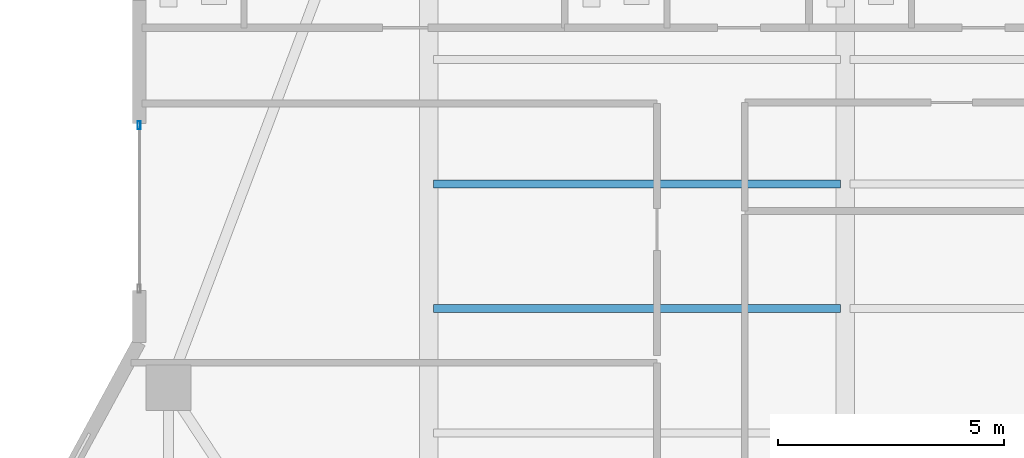
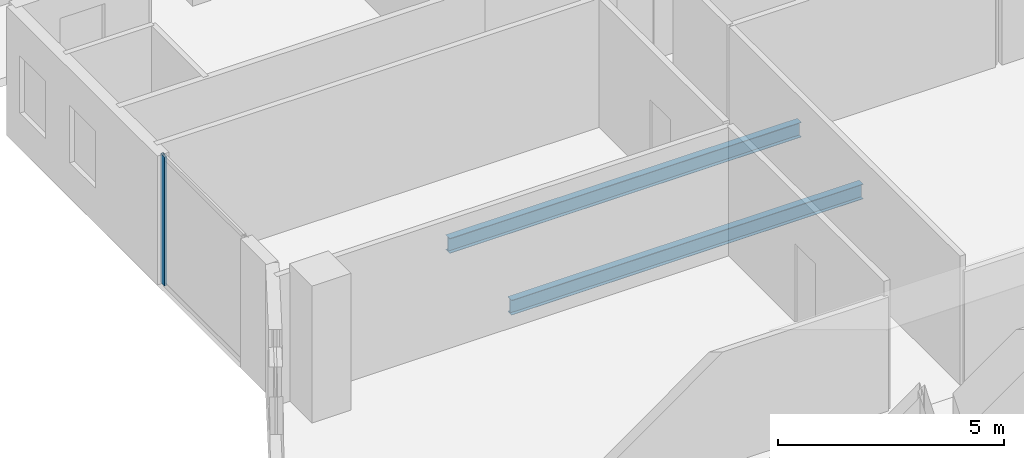
# One storey, part 8 of 24: 2 beams, 1 member, 1 element without a shape of its own.
"""IFC4 building model written with IfcOpenShell, lengths in metres."""

from ifc_helpers import new_model, si_unit, direction, frame, origin, origin_2d, place, context, subcontext, project, spatial, hollow_rectangle, i_section, extrude, material, layer, layer_set, material_profile, profile_set, type_object, element, aggregate, save


model = new_model("IFC4")

# Units and contexts
model_context = context("Model", 3, precision=1e-05, world=origin(), true_north=direction((0.0, 1.0)))
body_context = subcontext(model_context, "Body", "Model", "MODEL_VIEW")
ifc_project = project(units=[si_unit("LENGTHUNIT", "METRE"), si_unit("AREAUNIT", "SQUARE_METRE"), si_unit("VOLUMEUNIT", "CUBIC_METRE"), si_unit("PLANEANGLEUNIT", "RADIAN"), si_unit("MASSUNIT", "GRAM", prefix="KILO")], contexts=[model_context])

# Site, building, storey
site_placement = place(None, origin())
site = spatial("IfcSite", under=ifc_project, at=site_placement, CompositionType="ELEMENT")
building_placement = place(site_placement, origin())
building = spatial("IfcBuilding", under=site, at=building_placement, Name="Zuhayl Quay Hotel", CompositionType="ELEMENT")
storey_placement = place(building_placement, frame((0.0, 0.0, 276.64990234375)))
storey = spatial("IfcBuildingStorey", under=building, at=storey_placement, Name="L70", CompositionType="ELEMENT", Elevation=276.64990234375)

# Beams
ifc_material_1 = material(Name="Steel ASTM A992 Grade 50", Category="steel")
ifc_material_profile_1 = material_profile(ifc_material_1, i_section(OverallWidth=0.177978515625, OverallDepth=0.404052734375, WebThickness=0.007568359375, FlangeThickness=0.010986328125, at=origin_2d()), Name="W16X36")
ifc_profile_set_1 = profile_set([ifc_material_profile_1], Name="Steel ASTM A992 Grade 50")
beam_type = type_object("IfcBeamType", Name="BM_J3_W16X36", PredefinedType="JOIST", material=ifc_profile_set_1)
for number, where, z_axis, x_axis, name in (
    (1, (-13.694091796875, 24.85009765625, -0.421875), (1.0, 0.0, 0.0), (0.0, 1.0, 0.0), "L70 Floor Beam FJ_L70_4_1"),
    (2, (-13.694091796875, 27.60009765625, -0.421875), (1.0, 0.0, 0.0), (0.0, 1.0, 0.0), "L70 Floor Beam FJ_L70_5_1"),
):
    element("IfcBeam", number, at=place(storey_placement, frame(where, z_axis=z_axis, x_axis=x_axis)), inside=storey, type_object=beam_type, Name=name, PredefinedType="JOIST", context=body_context, shape_type="SweptSolid", body=[
        extrude(i_section(OverallWidth=0.177978515625, OverallDepth=0.404052734375, WebThickness=0.007568359375, FlangeThickness=0.010986328125, at=origin_2d()), origin(), (0.0, 0.0, 1.0), 8.988037109375),
    ])

# Curtain wall, member
ifc_material_2 = material(Name="Anodised Aluminium 6063-T6", Category="aluminium")
ifc_layer = layer(ifc_material_2, 0.169921875, Name="Anodised Aluminium 6063-T6", Category="aluminium")
ifc_layer_set = layer_set([ifc_layer], Name="Anodised Aluminium 6063-T6")
curtain_wall_type = type_object("IfcCurtainWallType", Name="CW_SYS_Z4", PredefinedType="USERDEFINED", material=ifc_layer_set)
curtain_wall_placement = place(storey_placement, origin())
curtain_wall = element("IfcCurtainWall", 3, at=curtain_wall_placement, inside=storey, type_object=curtain_wall_type, Name="L70 Curtain Wall ENV_L70_E05_CW1", ObjectType="UNITISED CURTAIN WALL", PredefinedType="USERDEFINED")
ifc_material_3 = material(Name="Black-anodised aluminium 6063-T6", Category="aluminium")
ifc_material_profile_2 = material_profile(ifc_material_3, hollow_rectangle(XDim=0.06494140625, YDim=0.179931640625, WallThickness=0.00341796875, at=origin_2d()), Name="ALU180X65")
ifc_profile_set_2 = profile_set([ifc_material_profile_2], Name="Black-anodised aluminium 6063-T6")
member_type = type_object("IfcMemberType", Name="MB_CW_MUL_180", PredefinedType="MULLION", material=ifc_profile_set_2)
member_placement = place(storey_placement, frame((-20.199951171875, 28.8974609375, 0.0), z_axis=(0.0, 0.0, 1.0), x_axis=(-1.0, 0.0, 0.0)))
member = element("IfcMember", 4, at=member_placement, type_object=member_type, Name="CW-Z4 mullion 2", PredefinedType="MULLION", context=body_context, shape_type="SweptSolid", body=[
    extrude(hollow_rectangle(XDim=0.06494140625, YDim=0.179931640625, WallThickness=0.00341796875, at=origin_2d()), origin(), (0.0, 0.0, 1.0), 3.47998046875),
])
aggregate(curtain_wall, [member])

save(model, "model.ifc")
